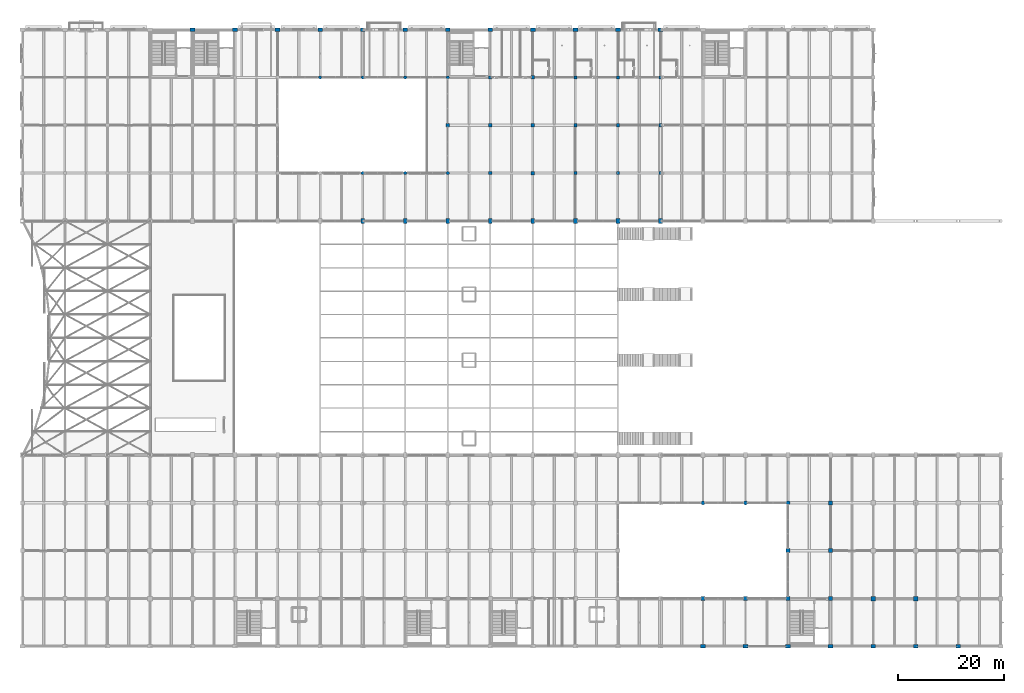
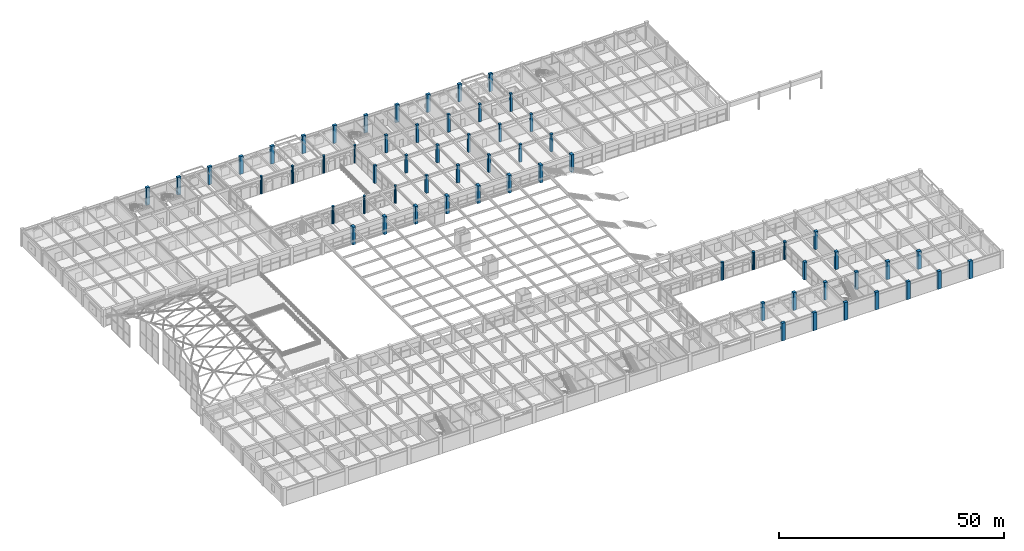
# One storey, part 4 of 144: 62 columns.
"""IFC4 building model written with IfcOpenShell, lengths in metres."""

import ifcopenshell
import ifcopenshell.guid

model = None  # the IFC model being written
_history = None  # IfcOwnerHistory: only IFC2X3 demands one
_inside = {}  # id of a spatial element -> (the spatial element, [elements in it])
_under = {}  # id of a project, library or spatial element -> (it, [spatial elements below it])
_declared = {}  # id of a project -> (the project, [libraries it declares])
_typed = {}  # id of a type object -> (the type object, [elements of that type])
_made_of = {}  # id of a material, layer set ... -> (it, [elements and type objects made of it])


def new_model(schema):
    """Start an empty IFC model of exactly this schema.

    Asked for "IFC4X3", IfcOpenShell would pick the latest addendum, in which some entities
    have other attributes; the version numbers below select the first issue.
    IFC2X3 requires an IfcOwnerHistory on every rooted entity: one is made here for all.
    """
    global model, _history
    if schema == "IFC4X3":
        model = ifcopenshell.file(schema_version=(4, 3, 0, 0))
    else:
        model = ifcopenshell.file(schema=schema)
    _inside.clear()
    _under.clear()
    _declared.clear()
    _typed.clear()
    _made_of.clear()
    _history = None
    if model.schema == "IFC2X3":
        org = make("IfcOrganization", Name="unknown")
        user = make(
            "IfcPersonAndOrganization",
            ThePerson=make("IfcPerson", FamilyName="unknown"),
            TheOrganization=org,
        )
        app = make(
            "IfcApplication",
            ApplicationDeveloper=org,
            Version="unknown",
            ApplicationFullName="unknown",
            ApplicationIdentifier="unknown",
        )
        _history = make(
            "IfcOwnerHistory",
            OwningUser=user,
            OwningApplication=app,
            ChangeAction="ADDED",
            CreationDate=0,
        )
    return model


def make(cls, **values):
    """One entity of the class cls with the attributes given. An attribute that is None is left unset."""
    return model.create_entity(
        cls, **{name: value for name, value in values.items() if value is not None}
    )


def rooted(cls, **values):
    """An entity with a GlobalId (a new one), such as an element, a storey or a relation."""
    return make(cls, GlobalId=ifcopenshell.guid.new(), OwnerHistory=_history, **values)


def si_unit(unit_type, name, prefix=None):
    """IfcSIUnit, for example si_unit("LENGTHUNIT", "METRE", prefix="MILLI")."""
    return make("IfcSIUnit", UnitType=unit_type, Prefix=prefix, Name=name)


def assignment(units):
    """IfcUnitAssignment: the units of a project."""
    return None if units is None else make("IfcUnitAssignment", Units=units)


def point(xyz):
    """IfcCartesianPoint."""
    return None if xyz is None else make("IfcCartesianPoint", Coordinates=xyz)


def direction(xyz):
    """IfcDirection."""
    return None if xyz is None else make("IfcDirection", DirectionRatios=xyz)


def frame(location, z_axis=None, x_axis=None):
    """IfcAxis2Placement3D, a coordinate frame: its origin and axes. An axis left out is left unset."""
    return make(
        "IfcAxis2Placement3D",
        Location=point(location),
        Axis=direction(z_axis),
        RefDirection=direction(x_axis),
    )


def frame_2d(location, x_axis=None):
    """IfcAxis2Placement2D, a coordinate frame in the plane: its origin and x axis."""
    return make(
        "IfcAxis2Placement2D", Location=point(location), RefDirection=direction(x_axis)
    )


def origin():
    """The frame at (0, 0, 0) with its axes left unset."""
    return frame((0.0, 0.0, 0.0))


def origin_2d():
    """The frame at (0, 0) in the plane with its x axis left unset."""
    return frame_2d((0.0, 0.0))


def place(relative_to, where):
    """IfcLocalPlacement: puts the frame where relative to a parent placement (None: the world)."""
    return make(
        "IfcLocalPlacement", PlacementRelTo=relative_to, RelativePlacement=where
    )


def context(
    kind, dimensions, precision=None, world=None, true_north=None, identifier=None
):
    """IfcGeometricRepresentationContext, for example the 3D "Model" context."""
    return make(
        "IfcGeometricRepresentationContext",
        ContextIdentifier=identifier,
        ContextType=kind,
        CoordinateSpaceDimension=dimensions,
        Precision=precision,
        WorldCoordinateSystem=world,
        TrueNorth=true_north,
    )


def subcontext(parent, identifier, kind, view, scale=None):
    """IfcGeometricRepresentationSubContext, for example "Body" below "Model"."""
    return make(
        "IfcGeometricRepresentationSubContext",
        ContextIdentifier=identifier,
        ContextType=kind,
        ParentContext=parent,
        TargetScale=scale,
        TargetView=view,
    )


def project(units=None, contexts=None):
    """IfcProject with its units and contexts."""
    return rooted(
        "IfcProject",
        Name="project",
        RepresentationContexts=contexts,
        UnitsInContext=assignment(units),
    )


def spatial(cls, under=None, at=None, **own):
    """A site, building, storey or space (cls), placed at a placement, below another one or the project."""
    s = rooted(cls, ObjectPlacement=at, **own)
    if under is not None:
        _under.setdefault(under.id(), (under, []))[1].append(s)
    return s


def profile(cls, at=None, kind="AREA", **sizes):
    """A parametric profile (cls). Its sizes go by their IFC names, for example OverallWidth=200.0."""
    return make(cls, ProfileType=kind, Position=at, **sizes)


def rectangle(**sizes):
    """IfcRectangleProfileDef."""
    return profile("IfcRectangleProfileDef", **sizes)


def circle(**sizes):
    """IfcCircleProfileDef."""
    return profile("IfcCircleProfileDef", **sizes)


def extrude(swept, where, along, depth):
    """IfcExtrudedAreaSolid: the profile swept, set in the frame where, extruded along a direction by depth."""
    return make(
        "IfcExtrudedAreaSolid",
        SweptArea=swept,
        Position=where,
        ExtrudedDirection=direction(along),
        Depth=depth,
    )


def shape(context_of_items, identifier, shape_type, items):
    """IfcShapeRepresentation: the items that make up one representation, for example the "Body"."""
    return make(
        "IfcShapeRepresentation",
        ContextOfItems=context_of_items,
        RepresentationIdentifier=identifier,
        RepresentationType=shape_type,
        Items=items,
    )


def material(Name=None, Category=None):
    """IfcMaterial."""
    return make("IfcMaterial", Name=Name, Category=Category)


def material_profile(
    of_material, cross_section, Name=None, Category=None, Priority=None
):
    """IfcMaterialProfile: a cross section and its material."""
    return make(
        "IfcMaterialProfile",
        Name=Name,
        Material=of_material,
        Profile=cross_section,
        Priority=Priority,
        Category=Category,
    )


def profile_set(profiles, Name=None, composite=None):
    """IfcMaterialProfileSet."""
    return make(
        "IfcMaterialProfileSet",
        Name=Name,
        MaterialProfiles=profiles,
        CompositeProfile=composite,
    )


def made_of(thing, what):
    """Note that an element or type object is made of a material, layer set ...; save() writes the relation."""
    if what is not None:
        _made_of.setdefault(what.id(), (what, []))[1].append(thing)
    return thing


def type_object(cls, material=None, **own):
    """A type object (cls), such as IfcWallType, which elements share."""
    return made_of(rooted(cls, **own), material)


def element(
    cls,
    number,
    at=None,
    inside=None,
    cuts=None,
    type_object=None,
    material=None,
    context=None,
    identifier="Body",
    shape_type=None,
    held_by="IfcProductDefinitionShape",
    body=None,
    shapes=None,
    **own,
):
    """One element of the class cls, such as IfcWall. Its Tag is "e" and its number.

    at: its placement. inside: the storey or other place that contains it. cuts: it is an
    opening in that element (IfcRelVoidsElement). A single representation is given by context,
    identifier, shape_type and body (its items); several are given by shapes. held_by: the class
    of the entity that holds the representations. save() writes the other relations.
    """
    e = rooted(cls, Tag="e%d" % number, ObjectPlacement=at, **own)
    if body is not None:
        shapes = [shape(context, identifier, shape_type, body)]
    if shapes is not None:
        e.Representation = make(held_by, Representations=shapes)
    if inside is not None:
        _inside.setdefault(inside.id(), (inside, []))[1].append(e)
    if cuts is not None:
        rooted(
            "IfcRelVoidsElement", RelatingBuildingElement=cuts, RelatedOpeningElement=e
        )
    if type_object is not None:
        _typed.setdefault(type_object.id(), (type_object, []))[1].append(e)
    return made_of(e, material)


def aggregate(whole, parts):
    """IfcRelAggregates: a whole, such as a stair, and the parts it consists of."""
    return rooted("IfcRelAggregates", RelatingObject=whole, RelatedObjects=parts)


def save(model, path):
    """Write the relations noted so far, then the file.

    IfcRelAggregates (storeys below a building ...), IfcRelContainedInSpatialStructure (elements
    in a storey), IfcRelDefinesByType, IfcRelAssociatesMaterial and IfcRelDeclares: one each for
    every whole, place, type object, material and project.
    """
    for whole, parts in _under.values():
        aggregate(whole, parts)
    for where, things in _inside.values():
        rooted(
            "IfcRelContainedInSpatialStructure",
            RelatedElements=things,
            RelatingStructure=where,
        )
    for kind, things in _typed.values():
        rooted("IfcRelDefinesByType", RelatedObjects=things, RelatingType=kind)
    for what, things in _made_of.values():
        rooted("IfcRelAssociatesMaterial", RelatedObjects=things, RelatingMaterial=what)
    for by, libraries in _declared.values():
        rooted("IfcRelDeclares", RelatingContext=by, RelatedDefinitions=libraries)
    model.write(path)


model = new_model("IFC4")

# Units and contexts
model_context = context("Model", 3, precision=1e-05, world=origin(), true_north=direction((0.0, 1.0)))
body_context = subcontext(model_context, "Body", "Model", "MODEL_VIEW")
ifc_project = project(units=[si_unit("LENGTHUNIT", "METRE"), si_unit("AREAUNIT", "SQUARE_METRE"), si_unit("VOLUMEUNIT", "CUBIC_METRE"), si_unit("PLANEANGLEUNIT", "RADIAN"), si_unit("MASSUNIT", "GRAM", prefix="KILO")], contexts=[model_context])

# Site, building, storey
site_placement = place(None, origin())
site = spatial("IfcSite", under=ifc_project, at=site_placement, CompositionType="ELEMENT")
building_placement = place(site_placement, origin())
building = spatial("IfcBuilding", under=site, at=building_placement, Name="Varnabhumi Central Station", CompositionType="ELEMENT")
storey_placement = place(building_placement, frame((0.0, 0.0, 4.800048828125)))
storey = spatial("IfcBuildingStorey", under=building, at=storey_placement, Name="L01", CompositionType="ELEMENT", Elevation=4.800048828125)

# Columns
ifc_material_1 = material(Name="Concrete M40", Category="concrete")
ifc_material_profile_1 = material_profile(ifc_material_1, rectangle(XDim=0.60009765625, YDim=0.60009765625, at=origin_2d()), Name="Concrete M40", Category="concrete")
ifc_profile_set_1 = profile_set([ifc_material_profile_1], Name="Concrete M40")
column_type_1 = type_object("IfcColumnType", Name="COL-NORTH-600", PredefinedType="COLUMN", material=ifc_profile_set_1)
for number, where, z_axis, x_axis, name in (
    (1, (80.0, 98.0, 0.0), (0.0, 0.0, 1.0), (1.0, 0.0, 0.0), "Column L01-11M"),
    (2, (88.0, 89.0, 0.0), (0.0, 0.0, 1.0), (1.0, 0.0, 0.0), "Column L01-12L"),
    (3, (88.0, 98.0, 0.0), (0.0, 0.0, 1.0), (1.0, 0.0, 0.0), "Column L01-12M"),
    (4, (88.0, 107.0, 0.0), (0.0, 0.0, 1.0), (1.0, 0.0, 0.0), "Column L01-12N"),
    (5, (104.0, 89.0, 0.0), (0.0, 0.0, 1.0), (1.0, 0.0, 0.0), "Column L01-14L"),
    (6, (104.0, 98.0, 0.0), (0.0, 0.0, 1.0), (1.0, 0.0, 0.0), "Column L01-14M"),
    (7, (104.0, 107.0, 0.0), (0.0, 0.0, 1.0), (1.0, 0.0, 0.0), "Column L01-14N"),
    (8, (112.0, 89.0, 0.0), (0.0, 0.0, 1.0), (1.0, 0.0, 0.0), "Column L01-15L"),
    (9, (112.0, 98.0, 0.0), (0.0, 0.0, 1.0), (1.0, 0.0, 0.0), "Column L01-15M"),
    (10, (112.0, 107.0, 0.0), (0.0, 0.0, 1.0), (1.0, 0.0, 0.0), "Column L01-15N"),
    (11, (120.0, 89.0, 0.0), (0.0, 0.0, 1.0), (1.0, 0.0, 0.0), "Column L01-16L"),
    (12, (120.0, 98.0, 0.0), (0.0, 0.0, 1.0), (1.0, 0.0, 0.0), "Column L01-16M"),
    (13, (120.0, 107.0, 0.0), (0.0, 0.0, 1.0), (1.0, 0.0, 0.0), "Column L01-16N"),
):
    element("IfcColumn", number, at=place(storey_placement, frame(where, z_axis=z_axis, x_axis=x_axis)), inside=storey, type_object=column_type_1, Name=name, PredefinedType="COLUMN", context=body_context, shape_type="SweptSolid", body=[
        extrude(rectangle(XDim=0.60009765625, YDim=0.60009765625, at=origin_2d()), origin(), (0.0, 0.0, 1.0), 4.800048828125),
    ])
ifc_material_profile_2 = material_profile(ifc_material_1, circle(Radius=0.375, at=origin_2d()), Name="Concrete M40", Category="concrete")
ifc_profile_set_2 = profile_set([ifc_material_profile_2], Name="Concrete M40")
column_type_2 = type_object("IfcColumnType", Name="COL-PATIO-D750", PredefinedType="PILASTER", material=ifc_profile_set_2)
for number, where, z_axis, x_axis, name in (
    (14, (128.0, 27.0, 0.0), (0.0, 0.0, 1.0), (1.0, 0.0, 0.0), "Column L01-17D"),
    (15, (136.0, 27.0, 0.0), (0.0, 0.0, 1.0), (1.0, 0.0, 0.0), "Column L01-18D"),
    (16, (144.0, 27.0, 0.0), (0.0, 0.0, 1.0), (1.0, 0.0, 0.0), "Column L01-19D"),
):
    element("IfcColumn", number, at=place(storey_placement, frame(where, z_axis=z_axis, x_axis=x_axis)), inside=storey, type_object=column_type_2, Name=name, PredefinedType="PILASTER", context=body_context, shape_type="SweptSolid", body=[
        extrude(circle(Radius=0.375, at=origin_2d()), origin(), (0.0, 0.0, 1.0), 4.800048828125),
    ])
ifc_material_profile_3 = material_profile(ifc_material_1, rectangle(XDim=0.64990234375, YDim=0.64990234375, at=origin_2d()), Name="Concrete M40", Category="concrete")
ifc_profile_set_3 = profile_set([ifc_material_profile_3], Name="Concrete M40")
column_type_3 = type_object("IfcColumnType", Name="COL-RC-650", PredefinedType="COLUMN", material=ifc_profile_set_3)
for number, where, z_axis, x_axis, name in (
    (17, (96.0, 89.0, 0.0), (0.0, 0.0, 1.0), (1.0, 0.0, 0.0), "Column L01-13L"),
    (18, (96.0, 98.0, 0.0), (0.0, 0.0, 1.0), (1.0, 0.0, 0.0), "Column L01-13M"),
    (19, (96.0, 107.0, 0.0), (0.0, 0.0, 1.0), (1.0, 0.0, 0.0), "Column L01-13N"),
):
    element("IfcColumn", number, at=place(storey_placement, frame(where, z_axis=z_axis, x_axis=x_axis)), inside=storey, type_object=column_type_3, Name=name, PredefinedType="COLUMN", context=body_context, shape_type="SweptSolid", body=[
        extrude(rectangle(XDim=0.64990234375, YDim=0.64990234375, at=origin_2d()), origin(), (0.0, 0.0, 1.0), 4.800048828125),
    ])
ifc_material_profile_4 = material_profile(ifc_material_1, rectangle(XDim=0.75, YDim=0.75, at=origin_2d()), Name="Concrete M40", Category="concrete")
ifc_profile_set_4 = profile_set([ifc_material_profile_4], Name="Concrete M40")
column_type_4 = type_object("IfcColumnType", Name="COL-RC-750", PredefinedType="COLUMN", material=ifc_profile_set_4)
for number, where, z_axis, x_axis, name in (
    (20, (128.0, 9.0, 0.0), (0.0, 0.0, 1.0), (1.0, 0.0, 0.0), "Column L01-17B"),
    (21, (136.0, 9.0, 0.0), (0.0, 0.0, 1.0), (1.0, 0.0, 0.0), "Column L01-18B"),
    (22, (144.0, 9.0, 0.0), (0.0, 0.0, 1.0), (1.0, 0.0, 0.0), "Column L01-19B"),
    (23, (144.0, 18.0, 0.0), (0.0, 0.0, 1.0), (1.0, 0.0, 0.0), "Column L01-19C"),
    (24, (152.0, 9.0, 0.0), (0.0, 0.0, 1.0), (1.0, 0.0, 0.0), "Column L01-20B"),
    (25, (152.0, 18.0, 0.0), (0.0, 0.0, 1.0), (1.0, 0.0, 0.0), "Column L01-20C"),
    (26, (152.0, 27.0, 0.0), (0.0, 0.0, 1.0), (1.0, 0.0, 0.0), "Column L01-20D"),
):
    element("IfcColumn", number, at=place(storey_placement, frame(where, z_axis=z_axis, x_axis=x_axis)), inside=storey, type_object=column_type_4, Name=name, PredefinedType="COLUMN", context=body_context, shape_type="SweptSolid", body=[
        extrude(rectangle(XDim=0.75, YDim=0.75, at=origin_2d()), origin(), (0.0, 0.0, 1.0), 4.800048828125),
    ])
ifc_material_2 = material(Name="Concrete M50", Category="concrete")
ifc_material_profile_5 = material_profile(ifc_material_2, rectangle(XDim=0.85009765625, YDim=0.85009765625, at=origin_2d()), Name="Concrete M50", Category="concrete")
ifc_profile_set_5 = profile_set([ifc_material_profile_5], Name="Concrete M50")
column_type_5 = type_object("IfcColumnType", Name="COL-RC-850", PredefinedType="COLUMN", material=ifc_profile_set_5)
for number, where, z_axis, x_axis, name in (
    (27, (160.0, 9.0, 0.0), (0.0, 0.0, 1.0), (1.0, 0.0, 0.0), "Column L01-21B"),
    (28, (168.0, 9.0, 0.0), (0.0, 0.0, 1.0), (1.0, 0.0, 0.0), "Column L01-22B"),
):
    element("IfcColumn", number, at=place(storey_placement, frame(where, z_axis=z_axis, x_axis=x_axis)), inside=storey, type_object=column_type_5, Name=name, PredefinedType="COLUMN", context=body_context, shape_type="SweptSolid", body=[
        extrude(rectangle(XDim=0.85009765625, YDim=0.85009765625, at=origin_2d()), origin(), (0.0, 0.0, 1.0), 4.800048828125),
    ])
ifc_material_profile_6 = material_profile(ifc_material_1, rectangle(XDim=0.89990234375, YDim=0.64990234375, at=origin_2d()), Name="Concrete M40", Category="concrete")
ifc_profile_set_6 = profile_set([ifc_material_profile_6], Name="Concrete M40")
column_type_6 = type_object("IfcColumnType", Name="COL-RC-900x650", PredefinedType="PILASTER", material=ifc_profile_set_6)
for number, where, z_axis, x_axis, name in (
    (29, (32.0, 116.0, 0.0), (0.0, 0.0, 1.0), (1.0, 0.0, 0.0), "Column L01-5P"),
    (30, (40.0, 116.0, 0.0), (0.0, 0.0, 1.0), (1.0, 0.0, 0.0), "Column L01-6P"),
    (31, (48.0, 116.0, 0.0), (0.0, 0.0, 1.0), (1.0, 0.0, 0.0), "Column L01-7P"),
    (32, (56.0, 116.0, 0.0), (0.0, 0.0, 1.0), (1.0, 0.0, 0.0), "Column L01-8P"),
    (33, (64.0, 116.0, 0.0), (0.0, 0.0, 1.0), (1.0, 0.0, 0.0), "Column L01-9P"),
    (34, (72.0, 116.0, 0.0), (0.0, 0.0, 1.0), (1.0, 0.0, 0.0), "Column L01-10P"),
    (35, (80.0, 116.0, 0.0), (0.0, 0.0, 1.0), (1.0, 0.0, 0.0), "Column L01-11P"),
    (36, (88.0, 116.0, 0.0), (0.0, 0.0, 1.0), (1.0, 0.0, 0.0), "Column L01-12P"),
    (37, (96.0, 116.0, 0.0), (0.0, 0.0, 1.0), (1.0, 0.0, 0.0), "Column L01-13P"),
    (38, (104.0, 116.0, 0.0), (0.0, 0.0, 1.0), (1.0, 0.0, 0.0), "Column L01-14P"),
    (39, (112.0, 116.0, 0.0), (0.0, 0.0, 1.0), (1.0, 0.0, 0.0), "Column L01-15P"),
    (40, (120.0, 116.0, 0.0), (0.0, 0.0, 1.0), (1.0, 0.0, 0.0), "Column L01-16P"),
):
    element("IfcColumn", number, at=place(storey_placement, frame(where, z_axis=z_axis, x_axis=x_axis)), inside=storey, type_object=column_type_6, Name=name, PredefinedType="PILASTER", context=body_context, shape_type="SweptSolid", body=[
        extrude(rectangle(XDim=0.89990234375, YDim=0.64990234375, at=origin_2d()), origin(), (0.0, 0.0, 1.0), 4.800048828125),
    ])
ifc_material_profile_7 = material_profile(ifc_material_1, rectangle(XDim=0.89990234375, YDim=0.699951171875, at=origin_2d()), Name="Concrete M40", Category="concrete")
ifc_profile_set_7 = profile_set([ifc_material_profile_7], Name="Concrete M40")
column_type_7 = type_object("IfcColumnType", Name="COL-RC-900x700", PredefinedType="PILASTER", material=ifc_profile_set_7)
for number, where, z_axis, x_axis, name in (
    (41, (128.0, 0.0, 0.0), (0.0, 0.0, 1.0), (1.0, 0.0, 0.0), "Column L01-17A"),
    (42, (136.0, 0.0, 0.0), (0.0, 0.0, 1.0), (1.0, 0.0, 0.0), "Column L01-18A"),
    (43, (144.0, 0.0, 0.0), (0.0, 0.0, 1.0), (1.0, 0.0, 0.0), "Column L01-19A"),
    (44, (152.0, 0.0, 0.0), (0.0, 0.0, 1.0), (1.0, 0.0, 0.0), "Column L01-20A"),
    (45, (160.0, 0.0, 0.0), (0.0, 0.0, 1.0), (1.0, 0.0, 0.0), "Column L01-21A"),
    (46, (168.0, 0.0, 0.0), (0.0, 0.0, 1.0), (1.0, 0.0, 0.0), "Column L01-22A"),
    (47, (176.0, 0.0, 0.0), (0.0, 0.0, 1.0), (1.0, 0.0, 0.0), "Column L01-23A"),
):
    element("IfcColumn", number, at=place(storey_placement, frame(where, z_axis=z_axis, x_axis=x_axis)), inside=storey, type_object=column_type_7, Name=name, PredefinedType="PILASTER", context=body_context, shape_type="SweptSolid", body=[
        extrude(rectangle(XDim=0.89990234375, YDim=0.699951171875, at=origin_2d()), origin(), (0.0, 0.0, 1.0), 4.800048828125),
    ])
ifc_material_profile_8 = material_profile(ifc_material_1, circle(Radius=0.300048828125, at=origin_2d()), Name="Concrete M40", Category="concrete")
ifc_profile_set_8 = profile_set([ifc_material_profile_8], Name="Concrete M40")
column_type_8 = type_object("IfcColumnType", Name="COL-RC-D600", PredefinedType="COLUMN", material=ifc_profile_set_8)
for number, where, z_axis, x_axis, name in (
    (48, (56.0, 107.0, 0.0), (0.0, 0.0, 1.0), (1.0, 0.0, 0.0), "Column L01-8N"),
    (49, (64.0, 89.0, 0.0), (0.0, 0.0, 1.0), (1.0, 0.0, 0.0), "Column L01-9L"),
    (50, (64.0, 107.0, 0.0), (0.0, 0.0, 1.0), (1.0, 0.0, 0.0), "Column L01-9N"),
    (51, (72.0, 89.0, 0.0), (0.0, 0.0, 1.0), (1.0, 0.0, 0.0), "Column L01-10L"),
    (52, (72.0, 107.0, 0.0), (0.0, 0.0, 1.0), (1.0, 0.0, 0.0), "Column L01-10N"),
    (53, (80.0, 89.0, 0.0), (0.0, 0.0, 1.0), (1.0, 0.0, 0.0), "Column L01-11L"),
    (54, (80.0, 107.0, 0.0), (0.0, 0.0, 1.0), (1.0, 0.0, 0.0), "Column L01-11N"),
):
    element("IfcColumn", number, at=place(storey_placement, frame(where, z_axis=z_axis, x_axis=x_axis)), inside=storey, type_object=column_type_8, Name=name, PredefinedType="COLUMN", context=body_context, shape_type="SweptSolid", body=[
        extrude(circle(Radius=0.300048828125, at=origin_2d()), origin(), (0.0, 0.0, 1.0), 4.800048828125),
    ])
ifc_material_profile_9 = material_profile(ifc_material_2, rectangle(XDim=0.699951171875, YDim=1.0, at=origin_2d()), Name="Concrete M50", Category="concrete")
ifc_profile_set_9 = profile_set([ifc_material_profile_9], Name="Concrete M50")
column_type_9 = type_object("IfcColumnType", Name="COL-SPINE-M50-1000x700", PredefinedType="COLUMN", material=ifc_profile_set_9)
for number, where, z_axis, x_axis, name in (
    (55, (64.0, 80.0, 0.0), (0.0, 0.0, 1.0), (1.0, 0.0, 0.0), "Column L01-9K"),
    (56, (72.0, 80.0, 0.0), (0.0, 0.0, 1.0), (1.0, 0.0, 0.0), "Column L01-10K"),
    (57, (80.0, 80.0, 0.0), (0.0, 0.0, 1.0), (1.0, 0.0, 0.0), "Column L01-11K"),
    (58, (88.0, 80.0, 0.0), (0.0, 0.0, 1.0), (1.0, 0.0, 0.0), "Column L01-12K"),
    (59, (96.0, 80.0, 0.0), (0.0, 0.0, 1.0), (1.0, 0.0, 0.0), "Column L01-13K"),
    (60, (104.0, 80.0, 0.0), (0.0, 0.0, 1.0), (1.0, 0.0, 0.0), "Column L01-14K"),
    (61, (112.0, 80.0, 0.0), (0.0, 0.0, 1.0), (1.0, 0.0, 0.0), "Column L01-15K"),
    (62, (120.0, 80.0, 0.0), (0.0, 0.0, 1.0), (1.0, 0.0, 0.0), "Column L01-16K"),
):
    element("IfcColumn", number, at=place(storey_placement, frame(where, z_axis=z_axis, x_axis=x_axis)), inside=storey, type_object=column_type_9, Name=name, PredefinedType="COLUMN", context=body_context, shape_type="SweptSolid", body=[
        extrude(rectangle(XDim=0.699951171875, YDim=1.0, at=origin_2d()), origin(), (0.0, 0.0, 1.0), 4.800048828125),
    ])

save(model, "model.ifc")
